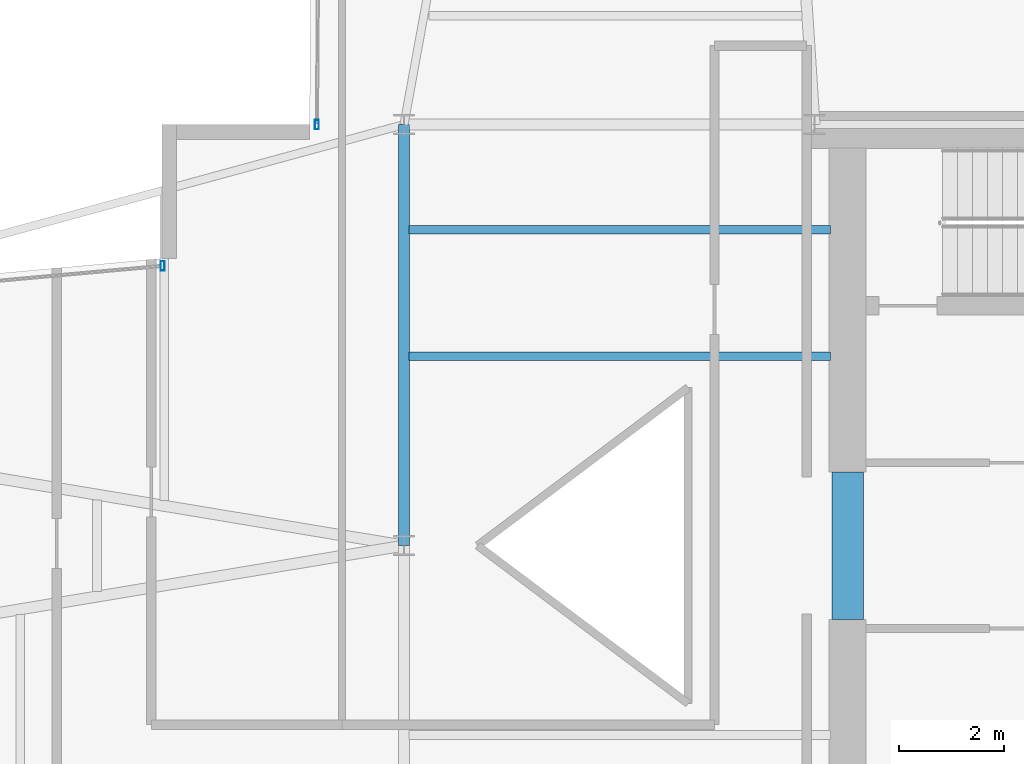
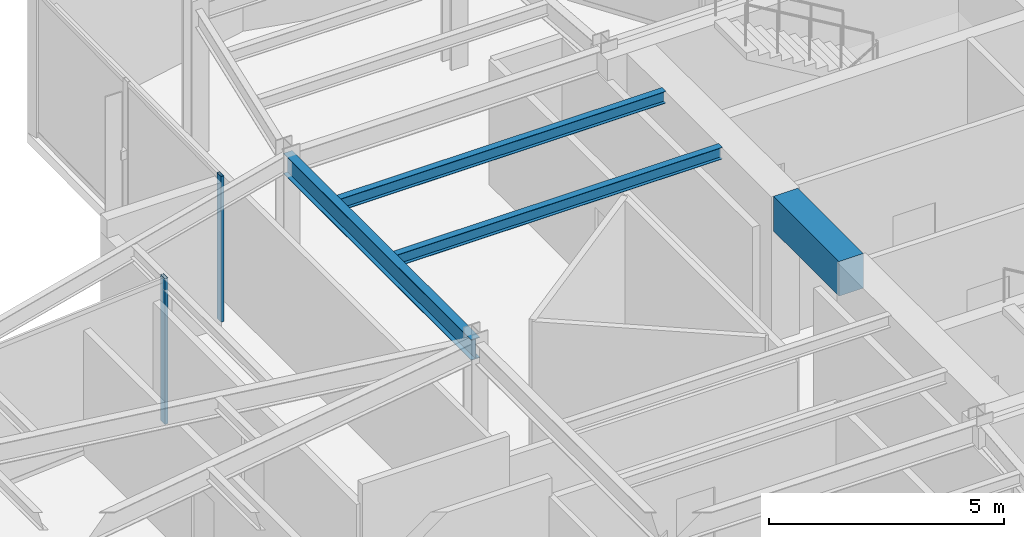
# One storey, part 11 of 23: 4 beams, 2 members, 2 elements without a shape of their own.
"""IFC4 building model written with IfcOpenShell, lengths in metres."""

from ifc_helpers import new_model, si_unit, direction, frame, origin, origin_2d, place, context, subcontext, project, spatial, rectangle, hollow_rectangle, i_section, extrude, material, layer, layer_set, material_profile, profile_set, type_object, element, aggregate, save


model = new_model("IFC4")

# Units and contexts
model_context = context("Model", 3, precision=1e-05, world=origin(), true_north=direction((0.0, 1.0)))
body_context = subcontext(model_context, "Body", "Model", "MODEL_VIEW")
ifc_project = project(units=[si_unit("LENGTHUNIT", "METRE"), si_unit("AREAUNIT", "SQUARE_METRE"), si_unit("VOLUMEUNIT", "CUBIC_METRE"), si_unit("PLANEANGLEUNIT", "RADIAN"), si_unit("MASSUNIT", "GRAM", prefix="KILO")], contexts=[model_context])

# Site, building, storey
site_placement = place(None, origin())
site = spatial("IfcSite", under=ifc_project, at=site_placement, CompositionType="ELEMENT")
building_placement = place(site_placement, origin())
building = spatial("IfcBuilding", under=site, at=building_placement, Name="Veymaron Broadcast Tower", CompositionType="ELEMENT")
storey_placement = place(building_placement, frame((0.0, 0.0, 195.89990234375)))
storey = spatial("IfcBuildingStorey", under=building, at=storey_placement, Name="L45", CompositionType="ELEMENT", Elevation=195.89990234375)

# Beams
ifc_material_1 = material(Name="Concrete C60/75", Category="concrete")
ifc_material_profile_1 = material_profile(ifc_material_1, rectangle(XDim=0.60009765625, YDim=0.89990234375, at=origin_2d()), Name="RC600X900")
ifc_profile_set_1 = profile_set([ifc_material_profile_1], Name="Concrete C60/75")
beam_type_1 = type_object("IfcBeamType", Name="BM-CB2", PredefinedType="LINTEL", material=ifc_profile_set_1)
beam_1_placement = place(storey_placement, frame((39.6298828125, 22.60009765625, 3.340087890625), z_axis=(0.0, 1.0, 0.0), x_axis=(-1.0, 0.0, 0.0)))
element("IfcBeam", 1, at=beam_1_placement, inside=storey, type_object=beam_type_1, Name="L45 Core Wall west coupling beam", PredefinedType="LINTEL", context=body_context, shape_type="SweptSolid", body=[
    extrude(rectangle(XDim=0.60009765625, YDim=0.89990234375, at=origin_2d()), origin(), (0.0, 0.0, 1.0), 2.7998046875),
])
ifc_material_2 = material(Name="Structural steel ASTM A992 Gr 50", Category="steel")
ifc_material_profile_2 = material_profile(ifc_material_2, i_section(OverallWidth=0.2099609375, OverallDepth=0.537109375, WebThickness=0.010986328125, FlangeThickness=0.017333984375, at=origin_2d()), Name="W530X101")
ifc_profile_set_2 = profile_set([ifc_material_profile_2], Name="Structural steel ASTM A992 Gr 50")
beam_type_2 = type_object("IfcBeamType", Name="BM-FG3", PredefinedType="BEAM", material=ifc_profile_set_2)
beam_2_placement = place(storey_placement, frame((31.199951171875, 24.0, 3.521484375), z_axis=(0.0, 1.0, 0.0), x_axis=(-1.0, 0.0, 0.0)))
element("IfcBeam", 2, at=beam_2_placement, inside=storey, type_object=beam_type_2, Name="L45 primary structural floor girder", PredefinedType="BEAM", context=body_context, shape_type="SweptSolid", body=[
    extrude(i_section(OverallWidth=0.2099609375, OverallDepth=0.537109375, WebThickness=0.010986328125, FlangeThickness=0.017333984375, at=origin_2d()), origin(), (0.0, 0.0, 1.0), 8.0),
])
ifc_material_profile_3 = material_profile(ifc_material_2, i_section(OverallWidth=0.1650390625, OverallDepth=0.31005859375, WebThickness=0.005859375, FlangeThickness=0.009765625, at=origin_2d()), Name="W310X39")
ifc_profile_set_3 = profile_set([ifc_material_profile_3], Name="Structural steel ASTM A992 Gr 50")
beam_type_3 = type_object("IfcBeamType", Name="BM-JS3", PredefinedType="JOIST", material=ifc_profile_set_3)
for number, where, z_axis, x_axis, name in (
    (3, (31.300048828125, 27.60009765625, 3.635009765625), (1.0, 0.0, 0.0), (0.0, 1.0, 0.0), "L45 Hub secondary joist 3"),
    (4, (31.300048828125, 30.0, 3.635009765625), (1.0, 0.0, 0.0), (0.0, 1.0, 0.0), "L45 Hub secondary joist 4"),
):
    element("IfcBeam", number, at=place(storey_placement, frame(where, z_axis=z_axis, x_axis=x_axis)), inside=storey, type_object=beam_type_3, Name=name, PredefinedType="JOIST", context=body_context, shape_type="SweptSolid", body=[
        extrude(i_section(OverallWidth=0.1650390625, OverallDepth=0.31005859375, WebThickness=0.005859375, FlangeThickness=0.009765625, at=origin_2d()), origin(), (0.0, 0.0, 1.0), 8.0),
    ])

# Curtain wall, member
ifc_material_3 = material(Name="Anodised aluminium AA 6063-T6 and laminated low-E dark glass", Category="aluminium")
ifc_layer = layer(ifc_material_3, 0.179931640625)
ifc_layer_set = layer_set([ifc_layer], Name="Anodised aluminium AA 6063-T6 and laminated low-E dark glass")
curtain_wall_type = type_object("IfcCurtainWallType", Name="CW-SYS-05", PredefinedType="NOTDEFINED", material=ifc_layer_set)
curtain_wall_1_placement = place(storey_placement, origin())
curtain_wall_1 = element("IfcCurtainWall", 5, at=curtain_wall_1_placement, inside=storey, type_object=curtain_wall_type, Name="L45 dark-glass curtain wall CW-L45-E8-1", PredefinedType="NOTDEFINED")
ifc_material_4 = material(Name="Anodised aluminium AA 6063-T6", Category="aluminium")
ifc_material_profile_4 = material_profile(ifc_material_4, hollow_rectangle(XDim=0.074951171875, YDim=0.179931640625, WallThickness=0.0048828125, at=origin_2d()), Name="AL180X75X5")
ifc_profile_set_4 = profile_set([ifc_material_profile_4], Name="Anodised aluminium AA 6063-T6")
member_type = type_object("IfcMemberType", Name="CW-MUL-02", PredefinedType="MULLION", material=ifc_profile_set_4)
member_1_placement = place(storey_placement, frame((29.545654296875, 31.9990234375, 0.0), z_axis=(0.0, 0.0, 1.0), x_axis=(1.0, 0.0, 0.0)))
member_1 = element("IfcMember", 6, at=member_1_placement, type_object=member_type, Name="CW-L45-E8-1 mullion 2", PredefinedType="MULLION", context=body_context, shape_type="SweptSolid", body=[
    extrude(hollow_rectangle(XDim=0.074951171875, YDim=0.179931640625, WallThickness=0.0048828125, at=origin_2d()), origin(), (0.0, 0.0, 1.0), 3.7900390625),
])
aggregate(curtain_wall_1, [member_1])

curtain_wall_2_placement = place(storey_placement, origin())
curtain_wall_2 = element("IfcCurtainWall", 7, at=curtain_wall_2_placement, inside=storey, type_object=curtain_wall_type, Name="L45 dark-glass curtain wall CW-L45-E11-1", PredefinedType="NOTDEFINED")
member_2_placement = place(storey_placement, frame((26.61279296875, 29.315185546875, 0.0), z_axis=(0.0, 0.0, 1.0), x_axis=(1.0, 0.0, 0.0)))
member_2 = element("IfcMember", 8, at=member_2_placement, type_object=member_type, Name="CW-L45-E11-1 mullion 0", PredefinedType="MULLION", context=body_context, shape_type="SweptSolid", body=[
    extrude(hollow_rectangle(XDim=0.074951171875, YDim=0.179931640625, WallThickness=0.0048828125, at=origin_2d()), origin(), (0.0, 0.0, 1.0), 3.7900390625),
])
aggregate(curtain_wall_2, [member_2])

save(model, "model.ifc")
